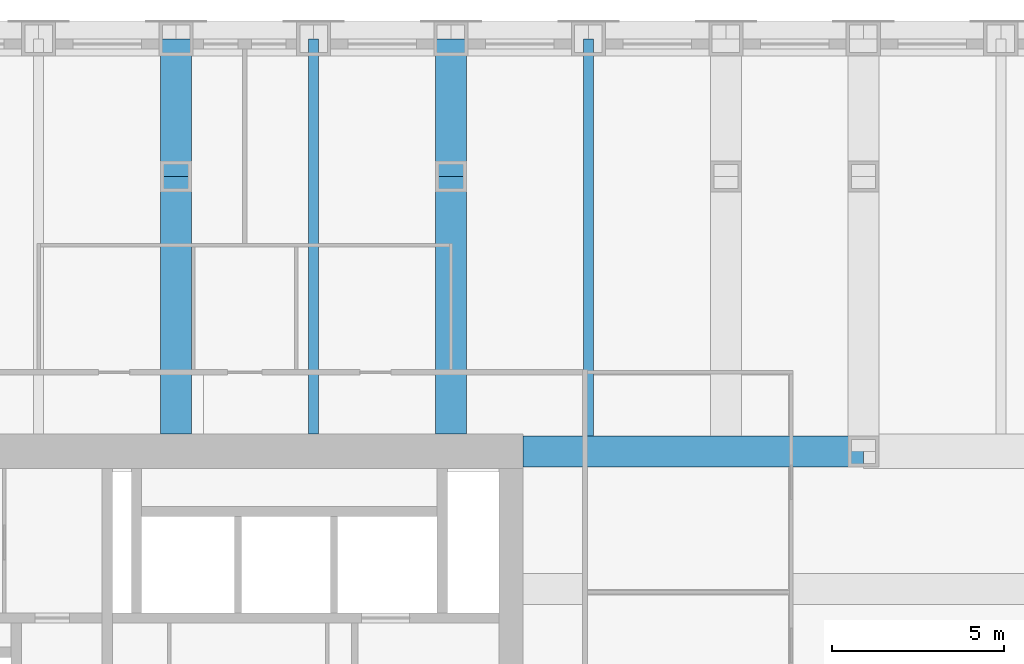
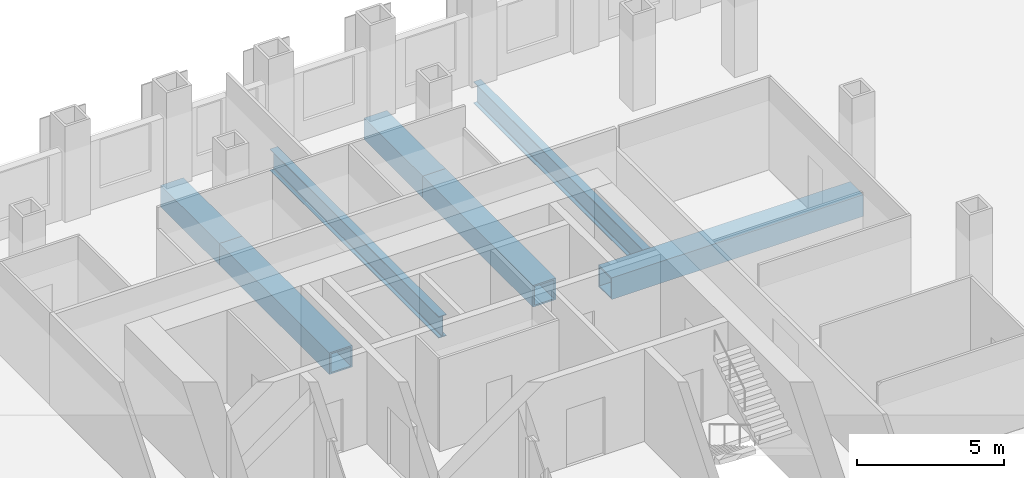
# One storey, part 7 of 16: 7 beams.
"""IFC4 building model written with IfcOpenShell, lengths in metres."""

from ifc_helpers import new_model, si_unit, direction, frame, origin, origin_2d, place, context, subcontext, project, spatial, hollow_rectangle, i_section, extrude, material, material_profile, profile_set, type_object, element, save


model = new_model("IFC4")

# Units and contexts
model_context = context("Model", 3, precision=1e-05, world=origin(), true_north=direction((0.0, 1.0)))
body_context = subcontext(model_context, "Body", "Model", "MODEL_VIEW")
ifc_project = project(units=[si_unit("LENGTHUNIT", "METRE"), si_unit("AREAUNIT", "SQUARE_METRE"), si_unit("VOLUMEUNIT", "CUBIC_METRE"), si_unit("PLANEANGLEUNIT", "RADIAN"), si_unit("MASSUNIT", "GRAM", prefix="KILO")], contexts=[model_context])

# Site, building, storey
site_placement = place(None, origin())
site = spatial("IfcSite", under=ifc_project, at=site_placement, CompositionType="ELEMENT")
building_placement = place(site_placement, origin())
building = spatial("IfcBuilding", under=site, at=building_placement, Name="Rimbunsela Tower", CompositionType="ELEMENT")
storey_placement = place(building_placement, frame((0.0, 0.0, 89.39990234375)))
storey = spatial("IfcBuildingStorey", under=building, at=storey_placement, Name="L21", CompositionType="ELEMENT", Elevation=89.39990234375)

# Beams
ifc_material_1 = material(Name="Steel BJ 55 (fy 410 MPa)", Category="steel")
ifc_material_profile_1 = material_profile(ifc_material_1, hollow_rectangle(XDim=0.89990234375, YDim=0.89990234375, WallThickness=0.06005859375, at=origin_2d()), Name="BOX 900x900x60")
ifc_profile_set_1 = profile_set([ifc_material_profile_1], Name="Steel BJ 55 (fy 410 MPa)")
beam_type_1 = type_object("IfcBeamType", Name="Beam BOX 900x900x60", PredefinedType="BEAM", material=ifc_profile_set_1)
beam_1_placement = place(storey_placement, frame((26.0, 36.5, -0.599853515625), z_axis=(0.0, 1.0, 0.0), x_axis=(-1.0, 0.0, 0.0)))
element("IfcBeam", 1, at=beam_1_placement, inside=storey, type_object=beam_type_1, Name="Beam B1 L21", PredefinedType="BEAM", context=body_context, shape_type="SweptSolid", body=[
    extrude(hollow_rectangle(XDim=0.89990234375, YDim=0.89990234375, WallThickness=0.06005859375, at=origin_2d()), origin(), (0.0, 0.0, 1.0), 7.5),
])
beam_2_placement = place(storey_placement, frame((26.0, 44.0, -0.599853515625), z_axis=(0.0, 1.0, 0.0), x_axis=(-1.0, 0.0, 0.0)))
element("IfcBeam", 2, at=beam_2_placement, inside=storey, type_object=beam_type_1, Name="Beam B1 L21", PredefinedType="BEAM", context=body_context, shape_type="SweptSolid", body=[
    extrude(hollow_rectangle(XDim=0.89990234375, YDim=0.89990234375, WallThickness=0.06005859375, at=origin_2d()), origin(), (0.0, 0.0, 1.0), 4.0),
])
beam_3_placement = place(storey_placement, frame((34.0, 36.5, -0.599853515625), z_axis=(0.0, 1.0, 0.0), x_axis=(-1.0, 0.0, 0.0)))
element("IfcBeam", 3, at=beam_3_placement, inside=storey, type_object=beam_type_1, Name="Beam B1 L21", PredefinedType="BEAM", context=body_context, shape_type="SweptSolid", body=[
    extrude(hollow_rectangle(XDim=0.89990234375, YDim=0.89990234375, WallThickness=0.06005859375, at=origin_2d()), origin(), (0.0, 0.0, 1.0), 7.5),
])
beam_4_placement = place(storey_placement, frame((34.0, 44.0, -0.599853515625), z_axis=(0.0, 1.0, 0.0), x_axis=(-1.0, 0.0, 0.0)))
element("IfcBeam", 4, at=beam_4_placement, inside=storey, type_object=beam_type_1, Name="Beam B1 L21", PredefinedType="BEAM", context=body_context, shape_type="SweptSolid", body=[
    extrude(hollow_rectangle(XDim=0.89990234375, YDim=0.89990234375, WallThickness=0.06005859375, at=origin_2d()), origin(), (0.0, 0.0, 1.0), 4.0),
])
beam_5_placement = place(storey_placement, frame((36.10009765625, 36.0, -0.599853515625), z_axis=(1.0, 0.0, 0.0), x_axis=(0.0, 1.0, 0.0)))
element("IfcBeam", 5, at=beam_5_placement, inside=storey, type_object=beam_type_1, Name="Beam B1 L21", PredefinedType="BEAM", context=body_context, shape_type="SweptSolid", body=[
    extrude(hollow_rectangle(XDim=0.89990234375, YDim=0.89990234375, WallThickness=0.06005859375, at=origin_2d()), origin(), (0.0, 0.0, 1.0), 9.89990234375),
])
ifc_material_2 = material(Name="Steel BJ 55 (fy 410 MPa)", Category="steel")
ifc_material_profile_2 = material_profile(ifc_material_2, i_section(OverallWidth=0.300048828125, OverallDepth=0.89990234375, WebThickness=0.01611328125, FlangeThickness=0.028076171875, FilletRadius=0.028076171875, at=origin_2d()), Name="H 900x300x16x28")
ifc_profile_set_2 = profile_set([ifc_material_profile_2], Name="Steel BJ 55 (fy 410 MPa)")
beam_type_2 = type_object("IfcBeamType", Name="Beam H 900x300x16x28", PredefinedType="BEAM", material=ifc_profile_set_2)
beam_6_placement = place(storey_placement, frame((30.0, 36.5, -0.599853515625), z_axis=(0.0, 1.0, 0.0), x_axis=(-1.0, 0.0, 0.0)))
element("IfcBeam", 6, at=beam_6_placement, inside=storey, type_object=beam_type_2, Name="Beam B2 L21", PredefinedType="BEAM", context=body_context, shape_type="SweptSolid", body=[
    extrude(i_section(OverallWidth=0.300048828125, OverallDepth=0.89990234375, WebThickness=0.01611328125, FlangeThickness=0.028076171875, FilletRadius=0.028076171875, at=origin_2d()), origin(), (0.0, 0.0, 1.0), 11.5),
])
beam_7_placement = place(storey_placement, frame((38.0, 36.449951171875, -0.599853515625), z_axis=(0.0, 1.0, 0.0), x_axis=(-1.0, 0.0, 0.0)))
element("IfcBeam", 7, at=beam_7_placement, inside=storey, type_object=beam_type_2, Name="Beam B2 L21", PredefinedType="BEAM", context=body_context, shape_type="SweptSolid", body=[
    extrude(i_section(OverallWidth=0.300048828125, OverallDepth=0.89990234375, WebThickness=0.01611328125, FlangeThickness=0.028076171875, FilletRadius=0.028076171875, at=origin_2d()), origin(), (0.0, 0.0, 1.0), 11.550048828125),
])

save(model, "model.ifc")
